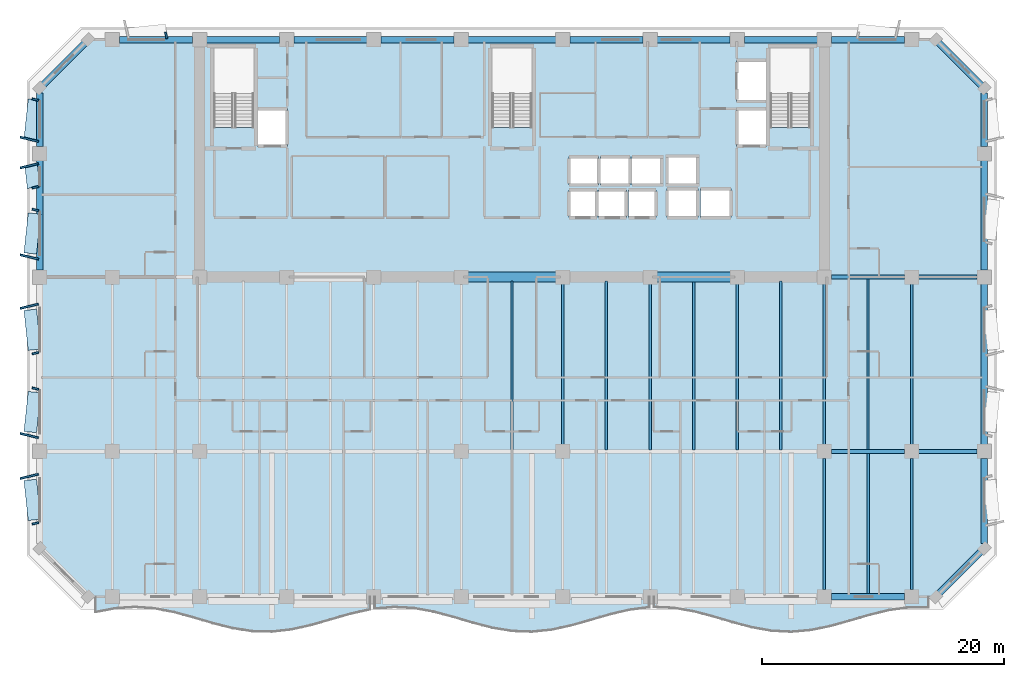
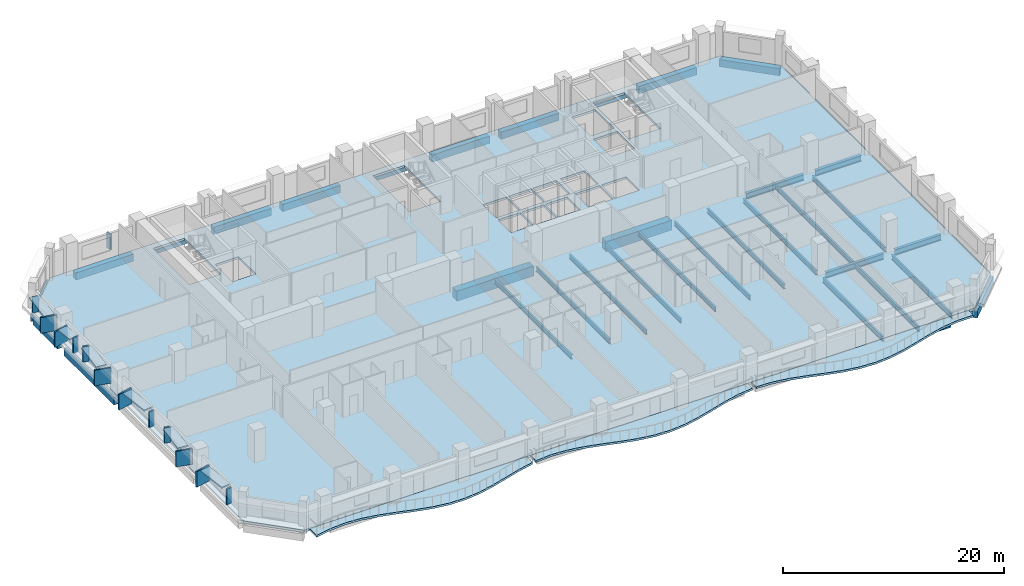
# One storey, part 2 of 14: 38 beams, 19 plates, 4 slabs.
"""IFC4 building model written with IfcOpenShell, lengths in metres."""

from ifc_helpers import new_model, si_unit, direction, frame, origin, origin_2d, place, context, subcontext, project, spatial, polyline, rectangle, i_section, outline, extrude, material, layer, layer_set, material_profile, profile_set, type_object, element, save


model = new_model("IFC4")

# Units and contexts
model_context = context("Model", 3, precision=1e-05, world=origin(), true_north=direction((0.0, 1.0)))
body_context = subcontext(model_context, "Body", "Model", "MODEL_VIEW")
ifc_project = project(units=[si_unit("LENGTHUNIT", "METRE"), si_unit("AREAUNIT", "SQUARE_METRE"), si_unit("VOLUMEUNIT", "CUBIC_METRE"), si_unit("PLANEANGLEUNIT", "RADIAN"), si_unit("MASSUNIT", "GRAM", prefix="KILO")], contexts=[model_context])

# Site, building, storey
site_placement = place(None, origin())
site = spatial("IfcSite", under=ifc_project, at=site_placement, CompositionType="ELEMENT")
building_placement = place(site_placement, origin())
building = spatial("IfcBuilding", under=site, at=building_placement, Name="Kaelvorn Grand Hotel", CompositionType="ELEMENT")
storey_placement = place(building_placement, frame((0.0, 0.0, 169.550048828125)))
storey = spatial("IfcBuildingStorey", under=building, at=storey_placement, Name="L41", CompositionType="ELEMENT", Elevation=169.550048828125)

# Beams
ifc_material_1 = material(Name="Steel S355", Category="steel")
ifc_material_profile_1 = material_profile(ifc_material_1, i_section(OverallWidth=0.300048828125, OverallDepth=0.64990234375, WebThickness=0.01611328125, FlangeThickness=0.031005859375, FilletRadius=0.027099609375, at=origin_2d()), Name="HEB 650")
ifc_profile_set_1 = profile_set([ifc_material_profile_1], Name="Steel S355")
beam_type_1 = type_object("IfcBeamType", Name="BM-G-HEB650-S355", PredefinedType="BEAM", material=ifc_profile_set_1)
beam_1_placement = place(storey_placement, frame((68.385009765625, 15.0, -0.56494140625), z_axis=(1.0, 0.0, 0.0), x_axis=(0.0, 1.0, 0.0)))
element("IfcBeam", 1, at=beam_1_placement, inside=storey, type_object=beam_type_1, Name="L41 Primary Spine Steel Girder G-15 06", PredefinedType="BEAM", context=body_context, shape_type="SweptSolid", body=[
    extrude(i_section(OverallWidth=0.300048828125, OverallDepth=0.64990234375, WebThickness=0.01611328125, FlangeThickness=0.031005859375, FilletRadius=0.027099609375, at=origin_2d()), origin(), (0.0, 0.0, 1.0), 6.030029296875),
])
beam_2_placement = place(storey_placement, frame((75.5849609375, 15.0, -0.56494140625), z_axis=(1.0, 0.0, 0.0), x_axis=(0.0, 1.0, 0.0)))
element("IfcBeam", 2, at=beam_2_placement, inside=storey, type_object=beam_type_1, Name="L41 Primary Spine Steel Girder G-15 07", PredefinedType="BEAM", context=body_context, shape_type="SweptSolid", body=[
    extrude(i_section(OverallWidth=0.300048828125, OverallDepth=0.64990234375, WebThickness=0.01611328125, FlangeThickness=0.031005859375, FilletRadius=0.027099609375, at=origin_2d()), origin(), (0.0, 0.0, 1.0), 4.830078125),
])
beam_3_placement = place(storey_placement, frame((68.385009765625, 29.39990234375, -0.56494140625), z_axis=(1.0, 0.0, 0.0), x_axis=(0.0, 1.0, 0.0)))
element("IfcBeam", 3, at=beam_3_placement, inside=storey, type_object=beam_type_1, Name="L41 East Core Wing Steel Girder G-29E 01", PredefinedType="BEAM", context=body_context, shape_type="SweptSolid", body=[
    extrude(i_section(OverallWidth=0.300048828125, OverallDepth=0.64990234375, WebThickness=0.01611328125, FlangeThickness=0.031005859375, FilletRadius=0.027099609375, at=origin_2d()), origin(), (0.0, 0.0, 1.0), 6.030029296875),
])
beam_4_placement = place(storey_placement, frame((75.5849609375, 29.39990234375, -0.56494140625), z_axis=(1.0, 0.0, 0.0), x_axis=(0.0, 1.0, 0.0)))
element("IfcBeam", 4, at=beam_4_placement, inside=storey, type_object=beam_type_1, Name="L41 East Core Wing Steel Girder G-29E 02", PredefinedType="BEAM", context=body_context, shape_type="SweptSolid", body=[
    extrude(i_section(OverallWidth=0.300048828125, OverallDepth=0.64990234375, WebThickness=0.01611328125, FlangeThickness=0.031005859375, FilletRadius=0.027099609375, at=origin_2d()), origin(), (0.0, 0.0, 1.0), 4.830078125),
])
ifc_material_profile_2 = material_profile(ifc_material_1, i_section(OverallWidth=0.199951171875, OverallDepth=0.5, WebThickness=0.01025390625, FlangeThickness=0.01611328125, FilletRadius=0.02099609375, at=origin_2d()), Name="IPE 500")
ifc_profile_set_2 = profile_set([ifc_material_profile_2], Name="Steel S355")
beam_type_2 = type_object("IfcBeamType", Name="BM-J-IPE500-S355", PredefinedType="JOIST", material=ifc_profile_set_2)
beam_5_placement = place(storey_placement, frame((42.0, 15.135009765625, -0.489990234375), z_axis=(0.0, 1.0, 0.0), x_axis=(-1.0, 0.0, 0.0)))
element("IfcBeam", 5, at=beam_5_placement, inside=storey, type_object=beam_type_2, Name="L41 Composite Floor Joist JM-12", PredefinedType="JOIST", context=body_context, shape_type="SweptSolid", body=[
    extrude(i_section(OverallWidth=0.199951171875, OverallDepth=0.5, WebThickness=0.01025390625, FlangeThickness=0.01611328125, FilletRadius=0.02099609375, at=origin_2d()), origin(), (0.0, 0.0, 1.0), 13.925048828125),
])
beam_6_placement = place(storey_placement, frame((46.199951171875, 15.5849609375, -0.489990234375), z_axis=(0.0, 1.0, 0.0), x_axis=(-1.0, 0.0, 0.0)))
element("IfcBeam", 6, at=beam_6_placement, inside=storey, type_object=beam_type_2, Name="L41 Composite Floor Joist JM-13", PredefinedType="JOIST", context=body_context, shape_type="SweptSolid", body=[
    extrude(i_section(OverallWidth=0.199951171875, OverallDepth=0.5, WebThickness=0.01025390625, FlangeThickness=0.01611328125, FilletRadius=0.02099609375, at=origin_2d()), origin(), (0.0, 0.0, 1.0), 13.22998046875),
])
beam_7_placement = place(storey_placement, frame((49.800048828125, 15.135009765625, -0.489990234375), z_axis=(0.0, 1.0, 0.0), x_axis=(-1.0, 0.0, 0.0)))
element("IfcBeam", 7, at=beam_7_placement, inside=storey, type_object=beam_type_2, Name="L41 Composite Floor Joist JM-14", PredefinedType="JOIST", context=body_context, shape_type="SweptSolid", body=[
    extrude(i_section(OverallWidth=0.199951171875, OverallDepth=0.5, WebThickness=0.01025390625, FlangeThickness=0.01611328125, FilletRadius=0.02099609375, at=origin_2d()), origin(), (0.0, 0.0, 1.0), 13.925048828125),
])
beam_8_placement = place(storey_placement, frame((53.39990234375, 15.135009765625, -0.489990234375), z_axis=(0.0, 1.0, 0.0), x_axis=(-1.0, 0.0, 0.0)))
element("IfcBeam", 8, at=beam_8_placement, inside=storey, type_object=beam_type_2, Name="L41 Composite Floor Joist JM-15", PredefinedType="JOIST", context=body_context, shape_type="SweptSolid", body=[
    extrude(i_section(OverallWidth=0.199951171875, OverallDepth=0.5, WebThickness=0.01025390625, FlangeThickness=0.01611328125, FilletRadius=0.02099609375, at=origin_2d()), origin(), (0.0, 0.0, 1.0), 13.679931640625),
])
beam_9_placement = place(storey_placement, frame((57.0, 15.135009765625, -0.489990234375), z_axis=(0.0, 1.0, 0.0), x_axis=(-1.0, 0.0, 0.0)))
element("IfcBeam", 9, at=beam_9_placement, inside=storey, type_object=beam_type_2, Name="L41 Composite Floor Joist JM-16", PredefinedType="JOIST", context=body_context, shape_type="SweptSolid", body=[
    extrude(i_section(OverallWidth=0.199951171875, OverallDepth=0.5, WebThickness=0.01025390625, FlangeThickness=0.01611328125, FilletRadius=0.02099609375, at=origin_2d()), origin(), (0.0, 0.0, 1.0), 13.925048828125),
])
beam_10_placement = place(storey_placement, frame((60.60009765625, 15.135009765625, -0.489990234375), z_axis=(0.0, 1.0, 0.0), x_axis=(-1.0, 0.0, 0.0)))
element("IfcBeam", 10, at=beam_10_placement, inside=storey, type_object=beam_type_2, Name="L41 Composite Floor Joist JM-17", PredefinedType="JOIST", context=body_context, shape_type="SweptSolid", body=[
    extrude(i_section(OverallWidth=0.199951171875, OverallDepth=0.5, WebThickness=0.01025390625, FlangeThickness=0.01611328125, FilletRadius=0.02099609375, at=origin_2d()), origin(), (0.0, 0.0, 1.0), 13.679931640625),
])
beam_11_placement = place(storey_placement, frame((64.199951171875, 15.135009765625, -0.489990234375), z_axis=(0.0, 1.0, 0.0), x_axis=(-1.0, 0.0, 0.0)))
element("IfcBeam", 11, at=beam_11_placement, inside=storey, type_object=beam_type_2, Name="L41 Composite Floor Joist JM-18", PredefinedType="JOIST", context=body_context, shape_type="SweptSolid", body=[
    extrude(i_section(OverallWidth=0.199951171875, OverallDepth=0.5, WebThickness=0.01025390625, FlangeThickness=0.01611328125, FilletRadius=0.02099609375, at=origin_2d()), origin(), (0.0, 0.0, 1.0), 13.925048828125),
])
beam_12_placement = place(storey_placement, frame((67.800048828125, 15.5849609375, -0.489990234375), z_axis=(0.0, 1.0, 0.0), x_axis=(-1.0, 0.0, 0.0)))
element("IfcBeam", 12, at=beam_12_placement, inside=storey, type_object=beam_type_2, Name="L41 Composite Floor Joist JM-19", PredefinedType="JOIST", context=body_context, shape_type="SweptSolid", body=[
    extrude(i_section(OverallWidth=0.199951171875, OverallDepth=0.5, WebThickness=0.01025390625, FlangeThickness=0.01611328125, FilletRadius=0.02099609375, at=origin_2d()), origin(), (0.0, 0.0, 1.0), 13.22998046875),
])
beam_13_placement = place(storey_placement, frame((71.39990234375, 15.135009765625, -0.489990234375), z_axis=(0.0, 1.0, 0.0), x_axis=(-1.0, 0.0, 0.0)))
element("IfcBeam", 13, at=beam_13_placement, inside=storey, type_object=beam_type_2, Name="L41 Composite Floor Joist JM-20", PredefinedType="JOIST", context=body_context, shape_type="SweptSolid", body=[
    extrude(i_section(OverallWidth=0.199951171875, OverallDepth=0.5, WebThickness=0.01025390625, FlangeThickness=0.01611328125, FilletRadius=0.02099609375, at=origin_2d()), origin(), (0.0, 0.0, 1.0), 14.1298828125),
])
beam_14_placement = place(storey_placement, frame((75.0, 15.5849609375, -0.489990234375), z_axis=(0.0, 1.0, 0.0), x_axis=(-1.0, 0.0, 0.0)))
element("IfcBeam", 14, at=beam_14_placement, inside=storey, type_object=beam_type_2, Name="L41 Composite Floor Joist JM-21", PredefinedType="JOIST", context=body_context, shape_type="SweptSolid", body=[
    extrude(i_section(OverallWidth=0.199951171875, OverallDepth=0.5, WebThickness=0.01025390625, FlangeThickness=0.01611328125, FilletRadius=0.02099609375, at=origin_2d()), origin(), (0.0, 0.0, 1.0), 13.22998046875),
])
ifc_material_profile_3 = material_profile(ifc_material_1, i_section(OverallWidth=0.2099609375, OverallDepth=0.550048828125, WebThickness=0.010986328125, FlangeThickness=0.01708984375, FilletRadius=0.02392578125, at=origin_2d()), Name="IPE 550")
ifc_profile_set_3 = profile_set([ifc_material_profile_3], Name="Steel S355")
beam_type_3 = type_object("IfcBeamType", Name="BM-J-IPE550-S355", PredefinedType="JOIST", material=ifc_profile_set_3)
beam_15_placement = place(storey_placement, frame((67.800048828125, 3.5849609375, -0.51513671875), z_axis=(0.0, 1.0, 0.0), x_axis=(-1.0, 0.0, 0.0)))
element("IfcBeam", 15, at=beam_15_placement, inside=storey, type_object=beam_type_3, Name="L41 Composite Floor Joist JS-19", PredefinedType="JOIST", context=body_context, shape_type="SweptSolid", body=[
    extrude(i_section(OverallWidth=0.2099609375, OverallDepth=0.550048828125, WebThickness=0.010986328125, FlangeThickness=0.01708984375, FilletRadius=0.02392578125, at=origin_2d()), origin(), (0.0, 0.0, 1.0), 10.830078125),
])
beam_16_placement = place(storey_placement, frame((71.39990234375, 3.260009765625, -0.51513671875), z_axis=(0.0, 1.0, 0.0), x_axis=(-1.0, 0.0, 0.0)))
element("IfcBeam", 16, at=beam_16_placement, inside=storey, type_object=beam_type_3, Name="L41 Composite Floor Joist JS-20", PredefinedType="JOIST", context=body_context, shape_type="SweptSolid", body=[
    extrude(i_section(OverallWidth=0.2099609375, OverallDepth=0.550048828125, WebThickness=0.010986328125, FlangeThickness=0.01708984375, FilletRadius=0.02392578125, at=origin_2d()), origin(), (0.0, 0.0, 1.0), 11.60498046875),
])
beam_17_placement = place(storey_placement, frame((75.0, 3.5849609375, -0.51513671875), z_axis=(0.0, 1.0, 0.0), x_axis=(-1.0, 0.0, 0.0)))
element("IfcBeam", 17, at=beam_17_placement, inside=storey, type_object=beam_type_3, Name="L41 Composite Floor Joist JS-21", PredefinedType="JOIST", context=body_context, shape_type="SweptSolid", body=[
    extrude(i_section(OverallWidth=0.2099609375, OverallDepth=0.550048828125, WebThickness=0.010986328125, FlangeThickness=0.01708984375, FilletRadius=0.02392578125, at=origin_2d()), origin(), (0.0, 0.0, 1.0), 10.830078125),
])
ifc_material_2 = material(Name="Concrete C60/75", Category="concrete")
ifc_material_profile_4 = material_profile(ifc_material_2, rectangle(XDim=0.800048828125, YDim=1.10009765625, at=origin_2d()), Name="RC LINTEL 800x1100")
ifc_profile_set_4 = profile_set([ifc_material_profile_4], Name="Concrete C60/75")
beam_type_4 = type_object("IfcBeamType", Name="BM-LIN-800x1100-C60", PredefinedType="LINTEL", material=ifc_profile_set_4)
beam_18_placement = place(storey_placement, frame((37.97998046875, 29.39990234375, -0.7900390625), z_axis=(1.0, 0.0, 0.0), x_axis=(0.0, 1.0, 0.0)))
element("IfcBeam", 18, at=beam_18_placement, inside=storey, type_object=beam_type_4, Name="L41 Rear-Core Coupling Lintel Beam CB1-02", PredefinedType="LINTEL", context=body_context, shape_type="SweptSolid", body=[
    extrude(rectangle(XDim=0.800048828125, YDim=1.10009765625, at=origin_2d()), origin(), (0.0, 0.0, 1.0), 8.0400390625),
])
beam_19_placement = place(storey_placement, frame((53.580078125, 29.39990234375, -0.7900390625), z_axis=(1.0, 0.0, 0.0), x_axis=(0.0, 1.0, 0.0)))
element("IfcBeam", 19, at=beam_19_placement, inside=storey, type_object=beam_type_4, Name="L41 Rear-Core Coupling Lintel Beam CB1-03", PredefinedType="LINTEL", context=body_context, shape_type="SweptSolid", body=[
    extrude(rectangle(XDim=0.800048828125, YDim=1.10009765625, at=origin_2d()), origin(), (0.0, 0.0, 1.0), 6.83984375),
])
ifc_material_3 = material(Name="Concrete C50/60", Category="concrete")
ifc_material_profile_5 = material_profile(ifc_material_3, rectangle(XDim=0.550048828125, YDim=0.800048828125, at=origin_2d()), Name="RC SPANDREL 550x800")
ifc_profile_set_5 = profile_set([ifc_material_profile_5], Name="Concrete C50/60")
beam_type_5 = type_object("IfcBeamType", Name="BM-SP-550x800-C50", PredefinedType="SPANDREL", material=ifc_profile_set_5)
for number, where, z_axis, x_axis, name in (
    (20, (68.385009765625, 3.0, -0.64013671875), (1.0, 0.0, 0.0), (0.0, 1.0, 0.0), "L41 South Perimeter Spandrel 10"),
    (21, (9.5849609375, 49.0, -0.64013671875), (1.0, 0.0, 0.0), (0.0, 1.0, 0.0), "L41 North Perimeter Spandrel 02"),
    (22, (16.784912109375, 49.0, -0.64013671875), (1.0, 0.0, 0.0), (0.0, 1.0, 0.0), "L41 North Perimeter Spandrel 03"),
):
    element("IfcBeam", number, at=place(storey_placement, frame(where, z_axis=z_axis, x_axis=x_axis)), inside=storey, type_object=beam_type_5, Name=name, PredefinedType="SPANDREL", context=body_context, shape_type="SweptSolid", body=[
        extrude(rectangle(XDim=0.550048828125, YDim=0.800048828125, at=origin_2d()), origin(), (0.0, 0.0, 1.0), 6.030029296875),
    ])
beam_20_placement = place(storey_placement, frame((23.985107421875, 49.0, -0.64013671875), z_axis=(1.0, 0.0, 0.0), x_axis=(0.0, 1.0, 0.0)))
element("IfcBeam", 23, at=beam_20_placement, inside=storey, type_object=beam_type_5, Name="L41 North Perimeter Spandrel 04", PredefinedType="SPANDREL", context=body_context, shape_type="SweptSolid", body=[
    extrude(rectangle(XDim=0.550048828125, YDim=0.800048828125, at=origin_2d()), origin(), (0.0, 0.0, 1.0), 6.02978515625),
])
beam_21_placement = place(storey_placement, frame((31.18505859375, 49.0, -0.64013671875), z_axis=(1.0, 0.0, 0.0), x_axis=(0.0, 1.0, 0.0)))
element("IfcBeam", 24, at=beam_21_placement, inside=storey, type_object=beam_type_5, Name="L41 North Perimeter Spandrel 05", PredefinedType="SPANDREL", context=body_context, shape_type="SweptSolid", body=[
    extrude(rectangle(XDim=0.550048828125, YDim=0.800048828125, at=origin_2d()), origin(), (0.0, 0.0, 1.0), 6.030029296875),
])
beam_22_placement = place(storey_placement, frame((38.385009765625, 49.0, -0.64013671875), z_axis=(1.0, 0.0, 0.0), x_axis=(0.0, 1.0, 0.0)))
element("IfcBeam", 25, at=beam_22_placement, inside=storey, type_object=beam_type_5, Name="L41 North Perimeter Spandrel 06", PredefinedType="SPANDREL", context=body_context, shape_type="SweptSolid", body=[
    extrude(rectangle(XDim=0.550048828125, YDim=0.800048828125, at=origin_2d()), origin(), (0.0, 0.0, 1.0), 7.22998046875),
])
beam_23_placement = place(storey_placement, frame((46.784912109375, 49.0, -0.64013671875), z_axis=(1.0, 0.0, 0.0), x_axis=(0.0, 1.0, 0.0)))
element("IfcBeam", 26, at=beam_23_placement, inside=storey, type_object=beam_type_5, Name="L41 North Perimeter Spandrel 07", PredefinedType="SPANDREL", context=body_context, shape_type="SweptSolid", body=[
    extrude(rectangle(XDim=0.550048828125, YDim=0.800048828125, at=origin_2d()), origin(), (0.0, 0.0, 1.0), 6.030029296875),
])
beam_24_placement = place(storey_placement, frame((53.985107421875, 49.0, -0.64013671875), z_axis=(1.0, 0.0, 0.0), x_axis=(0.0, 1.0, 0.0)))
element("IfcBeam", 27, at=beam_24_placement, inside=storey, type_object=beam_type_5, Name="L41 North Perimeter Spandrel 08", PredefinedType="SPANDREL", context=body_context, shape_type="SweptSolid", body=[
    extrude(rectangle(XDim=0.550048828125, YDim=0.800048828125, at=origin_2d()), origin(), (0.0, 0.0, 1.0), 6.02978515625),
])
for number, where, z_axis, x_axis, name in (
    (28, (61.18505859375, 49.0, -0.64013671875), (1.0, 0.0, 0.0), (0.0, 1.0, 0.0), "L41 North Perimeter Spandrel 09"),
    (29, (68.385009765625, 49.0, -0.64013671875), (1.0, 0.0, 0.0), (0.0, 1.0, 0.0), "L41 North Perimeter Spandrel 10"),
):
    element("IfcBeam", number, at=place(storey_placement, frame(where, z_axis=z_axis, x_axis=x_axis)), inside=storey, type_object=beam_type_5, Name=name, PredefinedType="SPANDREL", context=body_context, shape_type="SweptSolid", body=[
        extrude(rectangle(XDim=0.550048828125, YDim=0.800048828125, at=origin_2d()), origin(), (0.0, 0.0, 1.0), 6.030029296875),
    ])
beam_25_placement = place(storey_placement, frame((3.0, 29.985107421875, -0.64013671875), z_axis=(0.0, 1.0, 0.0), x_axis=(-1.0, 0.0, 0.0)))
element("IfcBeam", 30, at=beam_25_placement, inside=storey, type_object=beam_type_5, Name="L41 West Perimeter Spandrel 03", PredefinedType="SPANDREL", context=body_context, shape_type="SweptSolid", body=[
    extrude(rectangle(XDim=0.550048828125, YDim=0.800048828125, at=origin_2d()), origin(), (0.0, 0.0, 1.0), 9.02978515625),
])
beam_26_placement = place(storey_placement, frame((3.0, 40.18505859375, -0.64013671875), z_axis=(0.0, 1.0, 0.0), x_axis=(-1.0, 0.0, 0.0)))
element("IfcBeam", 31, at=beam_26_placement, inside=storey, type_object=beam_type_5, Name="L41 West Perimeter Spandrel 04", PredefinedType="SPANDREL", context=body_context, shape_type="SweptSolid", body=[
    extrude(rectangle(XDim=0.550048828125, YDim=0.800048828125, at=origin_2d()), origin(), (0.0, 0.0, 1.0), 4.409912109375),
])
beam_27_placement = place(storey_placement, frame((81.0, 7.405029296875, -0.64013671875), z_axis=(0.0, 1.0, 0.0), x_axis=(-1.0, 0.0, 0.0)))
element("IfcBeam", 32, at=beam_27_placement, inside=storey, type_object=beam_type_5, Name="L41 East Perimeter Spandrel 01", PredefinedType="SPANDREL", context=body_context, shape_type="SweptSolid", body=[
    extrude(rectangle(XDim=0.550048828125, YDim=0.800048828125, at=origin_2d()), origin(), (0.0, 0.0, 1.0), 7.010009765625),
])
beam_28_placement = place(storey_placement, frame((81.0, 15.5849609375, -0.64013671875), z_axis=(0.0, 1.0, 0.0), x_axis=(-1.0, 0.0, 0.0)))
element("IfcBeam", 33, at=beam_28_placement, inside=storey, type_object=beam_type_5, Name="L41 East Perimeter Spandrel 02", PredefinedType="SPANDREL", context=body_context, shape_type="SweptSolid", body=[
    extrude(rectangle(XDim=0.550048828125, YDim=0.800048828125, at=origin_2d()), origin(), (0.0, 0.0, 1.0), 13.22998046875),
])
beam_29_placement = place(storey_placement, frame((81.0, 29.985107421875, -0.64013671875), z_axis=(0.0, 1.0, 0.0), x_axis=(-1.0, 0.0, 0.0)))
element("IfcBeam", 34, at=beam_29_placement, inside=storey, type_object=beam_type_5, Name="L41 East Perimeter Spandrel 03", PredefinedType="SPANDREL", context=body_context, shape_type="SweptSolid", body=[
    extrude(rectangle(XDim=0.550048828125, YDim=0.800048828125, at=origin_2d()), origin(), (0.0, 0.0, 1.0), 9.02978515625),
])
beam_30_placement = place(storey_placement, frame((81.0, 40.18505859375, -0.64013671875), z_axis=(0.0, 1.0, 0.0), x_axis=(-1.0, 0.0, 0.0)))
element("IfcBeam", 35, at=beam_30_placement, inside=storey, type_object=beam_type_5, Name="L41 East Perimeter Spandrel 04", PredefinedType="SPANDREL", context=body_context, shape_type="SweptSolid", body=[
    extrude(rectangle(XDim=0.550048828125, YDim=0.800048828125, at=origin_2d()), origin(), (0.0, 0.0, 1.0), 4.409912109375),
])
for number, where, z_axis, x_axis, name in (
    (36, (77.0, 3.0, -0.64013671875), (0.707106781187, 0.707106781187, 0.0), (-0.707106781187, 0.707106781187, 0.0), "L41 Chamfer Spandrel Beam 1"),
    (37, (81.0, 45.0, -0.64013671875), (-0.707106781187, 0.707106781187, 0.0), (-0.707106781187, -0.707106781187, 0.0), "L41 Chamfer Spandrel Beam 2"),
    (38, (7.0, 49.0, -0.64013671875), (-0.707106781187, -0.707106781187, 0.0), (0.707106781187, -0.707106781187, 0.0), "L41 Chamfer Spandrel Beam 3"),
):
    element("IfcBeam", number, at=place(storey_placement, frame(where, z_axis=z_axis, x_axis=x_axis)), inside=storey, type_object=beam_type_5, Name=name, PredefinedType="SPANDREL", context=body_context, shape_type="SweptSolid", body=[
        extrude(rectangle(XDim=0.550048828125, YDim=0.800048828125, at=origin_2d()), origin(), (0.0, 0.0, 1.0), 5.65673828125),
    ])

# Plates
ifc_material_4 = material(Name="Precast concrete C45/55", Category="concrete")
ifc_layer_1 = layer(ifc_material_4, 0.159912109375)
ifc_layer_set_1 = layer_set([ifc_layer_1], Name="Precast concrete C45/55")
plate_type_1 = type_object("IfcPlateType", Name="PL-FRAME-DEEP-1550", PredefinedType="USERDEFINED", material=ifc_layer_set_1)
for number, where, z_axis, x_axis, name in (
    (39, (2.14501953125, 12.93994140625, 0.81494140625), (0.0, 0.0, 1.0), (-0.233445363856, 0.972369920398, 0.0), "L41 Tilted Precast Window Frame Fin R-W01"),
    (40, (2.14501953125, 16.31005859375, 0.81494140625), (0.0, 0.0, 1.0), (0.233445363856, 0.972369920398, 0.0), "L41 Tilted Precast Window Frame Fin L-W02"),
    (41, (2.14501953125, 26.989990234375, 0.81494140625), (0.0, 0.0, 1.0), (-0.233445363856, 0.972369920398, 0.0), "L41 Tilted Precast Window Frame Fin R-W03"),
    (42, (2.14501953125, 31.06005859375, 0.81494140625), (0.0, 0.0, 1.0), (0.233445363856, 0.972369920398, 0.0), "L41 Tilted Precast Window Frame Fin L-W04"),
    (43, (2.14501953125, 38.590087890625, 0.68994140625), (0.0, 0.0, 1.0), (-0.233445363856, 0.972369920398, 0.0), "L41 Tilted Precast Window Frame Fin R-W05"),
    (44, (2.14501953125, 40.77490234375, 0.73974609375), (0.0, 0.0, 1.0), (0.233445363856, 0.972369920398, 0.0), "L41 Tilted Precast Window Frame Fin L-W06"),
):
    element("IfcPlate", number, at=place(storey_placement, frame(where, z_axis=z_axis, x_axis=x_axis)), inside=storey, type_object=plate_type_1, Name=name, ObjectType="FLANGE_PLATE", PredefinedType="USERDEFINED", context=body_context, shape_type="SweptSolid", body=[
        extrude(rectangle(XDim=0.159912109375, YDim=1.550048828125, at=origin_2d()), origin(), (0.0, 0.0, 1.0), 1.719970703125),
    ])
ifc_layer_2 = layer(ifc_material_4, 0.159912109375)
ifc_layer_set_2 = layer_set([ifc_layer_2], Name="Precast concrete C45/55")
plate_type_2 = type_object("IfcPlateType", Name="PL-FRAME-HEAD-1050", PredefinedType="USERDEFINED", material=ifc_layer_set_2)
for number, where, z_axis, x_axis, name in (
    (45, (2.39501953125, 11.0, 2.5), (0.0, 0.0, 1.0), (-0.105830199459, 0.994384215926, 0.0), "L41 Precast Window Frame Head Hood H-W01"),
    (46, (2.39501953125, 18.25, 2.5), (0.0, 0.0, 1.0), (0.105830199459, 0.994384215926, 0.0), "L41 Precast Window Frame Head Hood H-W02"),
    (47, (2.39501953125, 25.050048828125, 2.5), (0.0, 0.0, 1.0), (-0.105830199459, 0.994384215926, 0.0), "L41 Precast Window Frame Head Hood H-W03"),
    (48, (2.39501953125, 33.0, 2.5), (0.0, 0.0, 1.0), (0.105830199459, 0.994384215926, 0.0), "L41 Precast Window Frame Head Hood H-W04"),
):
    element("IfcPlate", number, at=place(storey_placement, frame(where, z_axis=z_axis, x_axis=x_axis)), inside=storey, type_object=plate_type_2, Name=name, ObjectType="FLANGE_PLATE", PredefinedType="USERDEFINED", context=body_context, shape_type="SweptSolid", body=[
        extrude(rectangle(XDim=3.320068359375, YDim=1.050048828125, at=origin_2d()), origin(), (0.0, 0.0, 1.0), 0.159912109375),
    ])
plate_1_placement = place(storey_placement, frame((2.39501953125, 37.699951171875, 2.25), z_axis=(0.0, 0.0, 1.0), x_axis=(-0.105830199459, 0.994384215926, 0.0)))
element("IfcPlate", 49, at=plate_1_placement, inside=storey, type_object=plate_type_2, Name="L41 Precast Window Frame Head Hood H-W05", ObjectType="FLANGE_PLATE", PredefinedType="USERDEFINED", context=body_context, shape_type="SweptSolid", body=[
    extrude(rectangle(XDim=1.860107421875, YDim=1.050048828125, at=origin_2d()), origin(), (0.0, 0.0, 1.0), 0.159912109375),
])
plate_2_placement = place(storey_placement, frame((2.39501953125, 42.4150390625, 2.35009765625), z_axis=(0.0, 0.0, 1.0), x_axis=(0.105830199459, 0.994384215926, 0.0)))
element("IfcPlate", 50, at=plate_2_placement, inside=storey, type_object=plate_type_2, Name="L41 Precast Window Frame Head Hood H-W06", ObjectType="FLANGE_PLATE", PredefinedType="USERDEFINED", context=body_context, shape_type="SweptSolid", body=[
    extrude(rectangle(XDim=3.320068359375, YDim=1.050048828125, at=origin_2d()), origin(), (0.0, 0.0, 1.0), 0.159912109375),
])
ifc_layer_3 = layer(ifc_material_4, 0.159912109375)
ifc_layer_set_3 = layer_set([ifc_layer_3], Name="Precast concrete C45/55")
plate_type_3 = type_object("IfcPlateType", Name="PL-FRAME-SHAL-550", PredefinedType="USERDEFINED", material=ifc_layer_set_3)
for number, where, z_axis, x_axis, name in (
    (51, (2.64501953125, 9.06005859375, 0.81494140625), (0.0, 0.0, 1.0), (-0.233445363856, 0.972369920398, 0.0), "L41 Tilted Precast Window Frame Fin L-W01"),
    (52, (2.64501953125, 20.18994140625, 0.81494140625), (0.0, 0.0, 1.0), (0.233445363856, 0.972369920398, 0.0), "L41 Tilted Precast Window Frame Fin R-W02"),
    (53, (2.64501953125, 23.110107421875, 0.81494140625), (0.0, 0.0, 1.0), (-0.233445363856, 0.972369920398, 0.0), "L41 Tilted Precast Window Frame Fin L-W03"),
    (54, (2.64501953125, 34.93994140625, 0.81494140625), (0.0, 0.0, 1.0), (0.233445363856, 0.972369920398, 0.0), "L41 Tilted Precast Window Frame Fin R-W04"),
    (55, (2.64501953125, 36.81005859375, 0.68994140625), (0.0, 0.0, 1.0), (-0.233445363856, 0.972369920398, 0.0), "L41 Tilted Precast Window Frame Fin L-W05"),
    (56, (2.64501953125, 44.054931640625, 0.73974609375), (0.0, 0.0, 1.0), (0.233445363856, 0.972369920398, 0.0), "L41 Tilted Precast Window Frame Fin R-W06"),
    (57, (13.43994140625, 49.35498046875, 0.73974609375), (0.0, 0.0, 1.0), (0.972369920398, 0.233445363856, 0.0), "L41 Tilted Precast Window Frame Fin R-N01"),
):
    element("IfcPlate", number, at=place(storey_placement, frame(where, z_axis=z_axis, x_axis=x_axis)), inside=storey, type_object=plate_type_3, Name=name, ObjectType="FLANGE_PLATE", PredefinedType="USERDEFINED", context=body_context, shape_type="SweptSolid", body=[
        extrude(rectangle(XDim=0.159912109375, YDim=0.550048828125, at=origin_2d()), origin(), (0.0, 0.0, 1.0), 1.719970703125),
    ])

# Slabs
ifc_material_5 = material(Name="Concrete C40/50", Category="concrete")
ifc_layer_4 = layer(ifc_material_5, 0.219970703125)
ifc_layer_set_4 = layer_set([ifc_layer_4], Name="Concrete C40/50")
slab_type_1 = type_object("IfcSlabType", Name="SLB-BALC-220-C40", PredefinedType="FLOOR", material=ifc_layer_set_4)
slab_1_placement = place(storey_placement, frame((0.0, 0.0, -0.219970703125)))
element("IfcSlab", 58, at=slab_1_placement, inside=storey, type_object=slab_type_1, Name="L41 Scalloped Wave Balcony Slab 1", PredefinedType="FLOOR", context=body_context, shape_type="SweptSolid", body=[
    extrude(outline(polyline([(7.60009765625, 1.7275390625), (9.218994140625, 2.0380859375), (10.838134765625, 2.14990234375), (12.45703125, 2.03857421875), (14.076171875, 1.728515625), (15.6953125, 1.286865234375), (17.314208984375, 0.809814453125), (18.933349609375, 0.401611328125), (20.552490234375, 0.15087890625), (22.17138671875, 0.1123046875), (23.79052734375, 0.294189453125), (25.409423828125, 0.656982421875), (27.028564453125, 1.12158203125), (28.647705078125, 1.587158203125), (30.2666015625, 1.951904296875), (30.2666015625, 3.0), (7.60009765625, 3.0), (7.60009765625, 1.7275390625)])), origin(), (0.0, 0.0, 1.0), 0.219970703125),
])
slab_2_placement = place(storey_placement, frame((0.0, 0.0, -0.219970703125)))
element("IfcSlab", 59, at=slab_2_placement, inside=storey, type_object=slab_type_1, Name="L41 Scalloped Wave Balcony Slab 2", PredefinedType="FLOOR", context=body_context, shape_type="SweptSolid", body=[
    extrude(outline(polyline([(30.666748046875, 2.0166015625), (32.28564453125, 2.14892578125), (33.90478515625, 2.058349609375), (35.52392578125, 1.764404296875), (37.142822265625, 1.33154296875), (38.761962890625, 0.853515625), (40.380859375, 0.4345703125), (42.0, 0.166015625), (43.619140625, 0.106201171875), (45.238037109375, 0.268310546875), (46.857177734375, 0.616943359375), (48.47607421875, 1.076171875), (50.09521484375, 1.546142578125), (51.71435546875, 1.92431640625), (53.333251953125, 2.12841796875), (53.333251953125, 3.0), (30.666748046875, 3.0), (30.666748046875, 2.0166015625)])), origin(), (0.0, 0.0, 1.0), 0.219970703125),
])
slab_3_placement = place(storey_placement, frame((0.0, 0.0, -0.219970703125)))
element("IfcSlab", 60, at=slab_3_placement, inside=storey, type_object=slab_type_1, Name="L41 Scalloped Wave Balcony Slab 3", PredefinedType="FLOOR", context=body_context, shape_type="SweptSolid", body=[
    extrude(outline(polyline([(53.7333984375, 2.14599609375), (55.352294921875, 2.076171875), (56.971435546875, 1.79931640625), (58.590576171875, 1.375732421875), (60.20947265625, 0.8974609375), (61.82861328125, 0.46875), (63.447509765625, 0.182861328125), (65.066650390625, 0.102294921875), (66.685791015625, 0.244140625), (68.3046875, 0.577880859375), (69.923828125, 1.03076171875), (71.54296875, 1.504150390625), (73.161865234375, 1.89501953125), (74.781005859375, 2.1181640625), (76.39990234375, 2.125), (76.39990234375, 3.0), (53.7333984375, 3.0), (53.7333984375, 2.14599609375)])), origin(), (0.0, 0.0, 1.0), 0.219970703125),
])
ifc_layer_5 = layer(ifc_material_5, 0.239990234375)
ifc_layer_set_5 = layer_set([ifc_layer_5], Name="Concrete C40/50")
slab_type_2 = type_object("IfcSlabType", Name="SLB-FLR-240-C40", PredefinedType="FLOOR", material=ifc_layer_set_5)
slab_4_placement = place(storey_placement, frame((0.0, 0.0, -0.239990234375)))
element("IfcSlab", 61, at=slab_4_placement, inside=storey, type_object=slab_type_2, Name="L41 Indoor Suspended Floor Slab", PredefinedType="FLOOR", context=body_context, shape_type="SweptSolid", body=[
    extrude(outline(polyline([(7.0, 3.0), (77.0, 3.0), (81.0, 7.0), (81.0, 45.0), (77.0, 49.0), (7.0, 49.0), (3.0, 45.0), (3.0, 7.0), (7.0, 3.0)]), holes=[polyline([(17.39990234375, 41.760009765625), (17.39990234375, 48.300048828125), (20.679931640625, 48.300048828125), (20.679931640625, 41.760009765625), (17.39990234375, 41.760009765625)]), polyline([(40.360107421875, 41.760009765625), (40.360107421875, 48.300048828125), (43.639892578125, 48.300048828125), (43.639892578125, 41.760009765625), (40.360107421875, 41.760009765625)]), polyline([(63.320068359375, 41.760009765625), (63.320068359375, 48.300048828125), (66.60009765625, 48.300048828125), (66.60009765625, 41.760009765625), (63.320068359375, 41.760009765625)]), polyline([(46.699951171875, 34.300048828125), (46.699951171875, 36.60009765625), (49.0, 36.60009765625), (49.0, 34.300048828125), (46.699951171875, 34.300048828125)]), polyline([(49.14990234375, 34.300048828125), (49.14990234375, 36.60009765625), (51.449951171875, 36.60009765625), (51.449951171875, 34.300048828125), (49.14990234375, 34.300048828125)]), polyline([(51.60009765625, 34.300048828125), (51.60009765625, 36.60009765625), (53.89990234375, 36.60009765625), (53.89990234375, 34.300048828125), (51.60009765625, 34.300048828125)]), polyline([(46.699951171875, 37.0), (46.699951171875, 39.35009765625), (49.14990234375, 39.35009765625), (49.14990234375, 37.0), (46.699951171875, 37.0)]), polyline([(49.300048828125, 37.0), (49.300048828125, 39.35009765625), (51.75, 39.35009765625), (51.75, 37.0), (49.300048828125, 37.0)]), polyline([(51.89990234375, 37.0), (51.89990234375, 39.35009765625), (54.35009765625, 39.35009765625), (54.35009765625, 37.0), (51.89990234375, 37.0)]), polyline([(54.800048828125, 34.300048828125), (54.800048828125, 36.699951171875), (57.35009765625, 36.699951171875), (57.35009765625, 34.300048828125), (54.800048828125, 34.300048828125)]), polyline([(57.550048828125, 34.300048828125), (57.550048828125, 36.699951171875), (60.10009765625, 36.699951171875), (60.10009765625, 34.300048828125), (57.550048828125, 34.300048828125)]), polyline([(54.800048828125, 37.0), (54.800048828125, 39.39990234375), (57.35009765625, 39.39990234375), (57.35009765625, 37.0), (54.800048828125, 37.0)]), polyline([(21.0, 40.199951171875), (21.0, 43.300048828125), (23.449951171875, 43.300048828125), (23.449951171875, 40.199951171875), (21.0, 40.199951171875)]), polyline([(60.550048828125, 40.199951171875), (60.550048828125, 43.300048828125), (63.0, 43.300048828125), (63.0, 40.199951171875), (60.550048828125, 40.199951171875)]), polyline([(60.550048828125, 43.89990234375), (60.550048828125, 47.300048828125), (63.0, 47.300048828125), (63.0, 43.89990234375), (60.550048828125, 43.89990234375)])]), origin(), (0.0, 0.0, 1.0), 0.239990234375),
])

save(model, "model.ifc")
